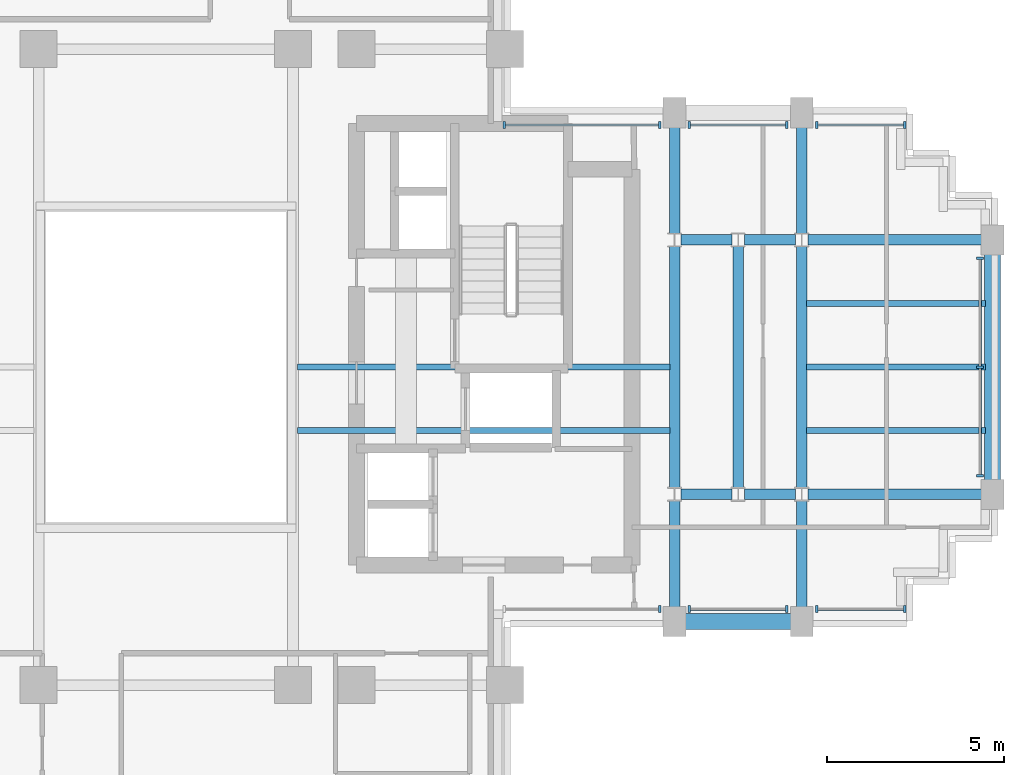
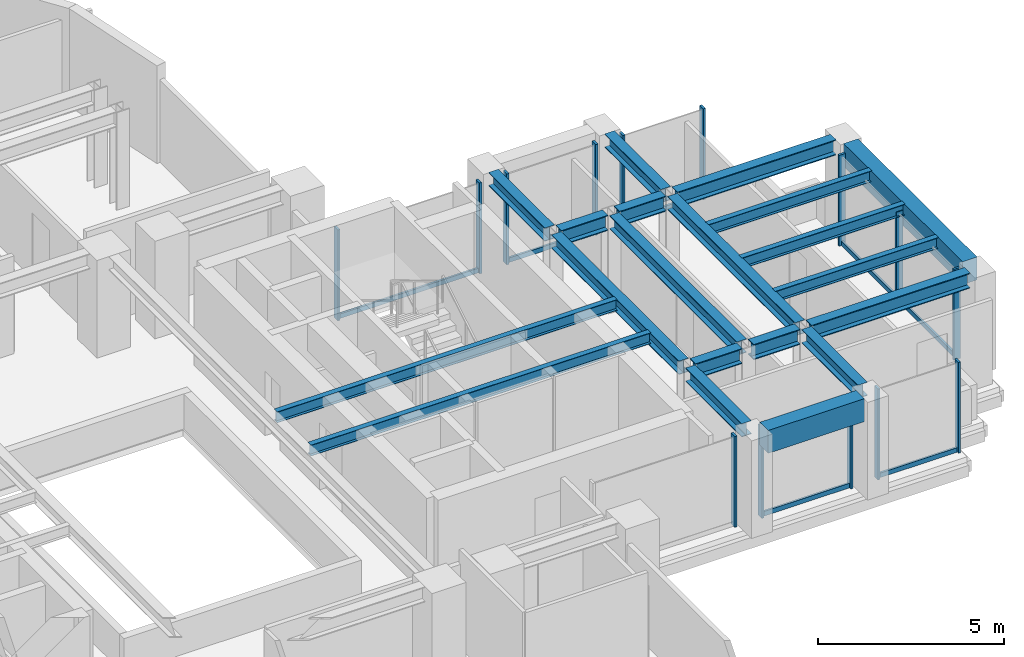
# One storey, part 5 of 13: 21 members, 20 beams, 7 elements without a shape of their own.
"""IFC4 building model written with IfcOpenShell, lengths in metres."""

from ifc_helpers import new_model, si_unit, direction, frame, origin, origin_2d, place, context, subcontext, project, spatial, rectangle, i_section, extrude, source, transform, mapped, material, material_profile, profile_set, type_object, element, aggregate, save


model = new_model("IFC4")

# Units and contexts
model_context = context("Model", 3, precision=1e-05, world=origin(), true_north=direction((0.0, 1.0)))
body_context = subcontext(model_context, "Body", "Model", "MODEL_VIEW")
ifc_project = project(units=[si_unit("LENGTHUNIT", "METRE"), si_unit("AREAUNIT", "SQUARE_METRE"), si_unit("VOLUMEUNIT", "CUBIC_METRE"), si_unit("PLANEANGLEUNIT", "RADIAN"), si_unit("MASSUNIT", "GRAM", prefix="KILO")], contexts=[model_context])

# Site, building, storey
site_placement = place(None, origin())
site = spatial("IfcSite", under=ifc_project, at=site_placement, CompositionType="ELEMENT")
building_placement = place(site_placement, origin())
building = spatial("IfcBuilding", under=site, at=building_placement, Name="Keilestroom Media Tower", CompositionType="ELEMENT")
storey_placement = place(building_placement, frame((0.0, 0.0, 131.199951171875)))
storey = spatial("IfcBuildingStorey", under=building, at=storey_placement, Name="L35", CompositionType="ELEMENT", Elevation=131.199951171875)

# Beams
ifc_material_1 = material(Name="Steel S355", Category="steel")
ifc_material_profile_1 = material_profile(ifc_material_1, i_section(OverallWidth=0.169921875, OverallDepth=0.360107421875, WebThickness=0.008056640625, FlangeThickness=0.0126953125, at=origin_2d()), Name="IPE 360")
ifc_profile_set_1 = profile_set([ifc_material_profile_1], Name="Steel S355")
beam_type_1 = type_object("IfcBeamType", Name="Secondary-Floor-Joist-IPE-360", PredefinedType="JOIST", material=ifc_profile_set_1)
shared_shape_1 = source(origin(), body_context, "Body", "SweptSolid", [
    extrude(i_section(OverallWidth=0.169921875, OverallDepth=0.360107421875, WebThickness=0.008056640625, FlangeThickness=0.0126953125, at=origin_2d()), origin(), (0.0, 0.0, 1.0), 10.5400390625),
])
for number, where, z_axis, x_axis, name in (
    (1, (3.72998046875, -1.800048828125, 3.02001953125), (1.0, 0.0, 0.0), (0.0, 1.0, 0.0), "L35 Beam BJ-5 JST-L35-074"),
    (2, (3.72998046875, 0.0, 3.02001953125), (1.0, 0.0, 0.0), (0.0, 1.0, 0.0), "L35 Beam BJ-5 JST-L35-079"),
):
    element("IfcBeam", number, at=place(storey_placement, frame(where, z_axis=z_axis, x_axis=x_axis)), inside=storey, type_object=beam_type_1, Name=name, PredefinedType="JOIST", context=body_context, shape_type="MappedRepresentation", body=[
        mapped(shared_shape_1, transform((0.0, 0.0, 0.0), x_axis=(1.0, 0.0, 0.0), y_axis=(0.0, 1.0, 0.0), z_axis=(0.0, 0.0, 1.0), scale=1.0)),
    ])
ifc_material_2 = material(Name="Precast concrete C40/50", Category="concrete")
ifc_material_profile_2 = material_profile(ifc_material_2, rectangle(XDim=0.449951171875, YDim=0.75, at=origin_2d()), Name="PC 450x750")
ifc_profile_set_2 = profile_set([ifc_material_profile_2], Name="Precast concrete C40/50")
beam_type_2 = type_object("IfcBeamType", Name="Perimeter-Spandrel-Beam-PC-450x750", PredefinedType="SPANDREL", material=ifc_profile_set_2)
shared_shape_2 = source(origin(), body_context, "Body", "SweptSolid", [
    extrude(rectangle(XDim=0.449951171875, YDim=0.75, at=origin_2d()), origin(), (0.0, 0.0, 1.0), 2.989990234375),
])
beam_1_placement = place(storey_placement, frame((14.705078125, -7.199951171875, 2.824951171875), z_axis=(1.0, 0.0, 0.0), x_axis=(0.0, 1.0, 0.0)))
element("IfcBeam", 3, at=beam_1_placement, inside=storey, type_object=beam_type_2, Name="L35 Beam SPB-1 BM-L35-EW-013", PredefinedType="SPANDREL", context=body_context, shape_type="MappedRepresentation", body=[
    mapped(shared_shape_2, transform((0.0, 0.0, 0.0), x_axis=(1.0, 0.0, 0.0), y_axis=(0.0, 1.0, 0.0), z_axis=(0.0, 0.0, 1.0), scale=1.0)),
])
ifc_material_profile_3 = material_profile(ifc_material_1, i_section(OverallWidth=0.300048828125, OverallDepth=0.5, WebThickness=0.012451171875, FlangeThickness=0.028076171875, at=origin_2d()), Name="HEB 500")
ifc_profile_set_3 = profile_set([ifc_material_profile_3], Name="Steel S355")
beam_type_3 = type_object("IfcBeamType", Name="Primary-Structural-Girder-HEB-500", PredefinedType="BEAM", material=ifc_profile_set_3)
shared_shape_3 = source(origin(), body_context, "Body", "SweptSolid", [
    extrude(i_section(OverallWidth=0.300048828125, OverallDepth=0.5, WebThickness=0.012451171875, FlangeThickness=0.028076171875, at=origin_2d()), origin(), (0.0, 0.0, 1.0), 4.91455078125),
])
for number, where, z_axis, x_axis, name in (
    (4, (18.180419921875, -3.60009765625, 2.949951171875), (1.0, 0.0, 0.0), (0.0, 1.0, 0.0), "L35 Beam BG-6 BM-L35-EW-019"),
    (5, (18.180419921875, 3.60009765625, 2.949951171875), (1.0, 0.0, 0.0), (0.0, 1.0, 0.0), "L35 Beam BG-6 BM-L35-EW-025"),
):
    element("IfcBeam", number, at=place(storey_placement, frame(where, z_axis=z_axis, x_axis=x_axis)), inside=storey, type_object=beam_type_3, Name=name, PredefinedType="BEAM", context=body_context, shape_type="MappedRepresentation", body=[
        mapped(shared_shape_3, transform((0.0, 0.0, 0.0), x_axis=(1.0, 0.0, 0.0), y_axis=(0.0, 1.0, 0.0), z_axis=(0.0, 0.0, 1.0), scale=1.0)),
    ])
shared_shape_4 = source(origin(), body_context, "Body", "SweptSolid", [
    extrude(i_section(OverallWidth=0.300048828125, OverallDepth=0.5, WebThickness=0.012451171875, FlangeThickness=0.028076171875, at=origin_2d()), origin(), (0.0, 0.0, 1.0), 1.43896484375),
])
for number, where, z_axis, x_axis, name in (
    (6, (14.58056640625, -3.60009765625, 2.949951171875), (1.0, 0.0, 0.0), (0.0, 1.0, 0.0), "L35 Beam BG-6 BM-L35-EW-017"),
    (7, (16.380615234375, -3.60009765625, 2.949951171875), (1.0, 0.0, 0.0), (0.0, 1.0, 0.0), "L35 Beam BG-6 BM-L35-EW-018"),
    (8, (14.58056640625, 3.60009765625, 2.949951171875), (1.0, 0.0, 0.0), (0.0, 1.0, 0.0), "L35 Beam BG-6 BM-L35-EW-023"),
    (9, (16.380615234375, 3.60009765625, 2.949951171875), (1.0, 0.0, 0.0), (0.0, 1.0, 0.0), "L35 Beam BG-6 BM-L35-EW-024"),
):
    element("IfcBeam", number, at=place(storey_placement, frame(where, z_axis=z_axis, x_axis=x_axis)), inside=storey, type_object=beam_type_3, Name=name, PredefinedType="BEAM", context=body_context, shape_type="MappedRepresentation", body=[
        mapped(shared_shape_4, transform((0.0, 0.0, 0.0), x_axis=(1.0, 0.0, 0.0), y_axis=(0.0, 1.0, 0.0), z_axis=(0.0, 0.0, 1.0), scale=1.0)),
    ])
shared_shape_5 = source(origin(), body_context, "Body", "SweptSolid", [
    extrude(rectangle(XDim=0.449951171875, YDim=0.75, at=origin_2d()), origin(), (0.0, 0.0, 1.0), 6.39013671875),
])
beam_2_placement = place(storey_placement, frame((23.39990234375, -3.195068359375, 2.824951171875), z_axis=(0.0, 1.0, 0.0), x_axis=(-1.0, 0.0, 0.0)))
element("IfcBeam", 10, at=beam_2_placement, inside=storey, type_object=beam_type_2, Name="L35 Beam SPB-1 BM-L35-NS-068", PredefinedType="SPANDREL", context=body_context, shape_type="MappedRepresentation", body=[
    mapped(shared_shape_5, transform((0.0, 0.0, 0.0), x_axis=(1.0, 0.0, 0.0), y_axis=(0.0, 1.0, 0.0), z_axis=(0.0, 0.0, 1.0), scale=1.0)),
])
shared_shape_6 = source(origin(), body_context, "Body", "SweptSolid", [
    extrude(i_section(OverallWidth=0.169921875, OverallDepth=0.360107421875, WebThickness=0.008056640625, FlangeThickness=0.0126953125, at=origin_2d()), origin(), (0.0, 0.0, 1.0), 5.065185546875),
])
for number, where, z_axis, x_axis, name in (
    (11, (18.1298828125, -1.800048828125, 3.02001953125), (1.0, 0.0, 0.0), (0.0, 1.0, 0.0), "L35 Beam BJ-5 JST-L35-075"),
    (12, (18.1298828125, 0.0, 3.02001953125), (1.0, 0.0, 0.0), (0.0, 1.0, 0.0), "L35 Beam BJ-5 JST-L35-080"),
    (13, (18.1298828125, 1.800048828125, 3.02001953125), (1.0, 0.0, 0.0), (0.0, 1.0, 0.0), "L35 Beam BJ-5 JST-L35-085"),
):
    element("IfcBeam", number, at=place(storey_placement, frame(where, z_axis=z_axis, x_axis=x_axis)), inside=storey, type_object=beam_type_1, Name=name, PredefinedType="JOIST", context=body_context, shape_type="MappedRepresentation", body=[
        mapped(shared_shape_6, transform((0.0, 0.0, 0.0), x_axis=(1.0, 0.0, 0.0), y_axis=(0.0, 1.0, 0.0), z_axis=(0.0, 0.0, 1.0), scale=1.0)),
    ])
ifc_material_profile_4 = material_profile(ifc_material_1, i_section(OverallWidth=0.300048828125, OverallDepth=0.43994140625, WebThickness=0.011474609375, FlangeThickness=0.02099609375, at=origin_2d()), Name="HEA 450")
ifc_profile_set_4 = profile_set([ifc_material_profile_4], Name="Steel S355")
beam_type_4 = type_object("IfcBeamType", Name="Primary-Structural-Girder-HEA-450", PredefinedType="BEAM", material=ifc_profile_set_4)
shared_shape_7 = source(origin(), body_context, "Body", "SweptSolid", [
    extrude(i_section(OverallWidth=0.300048828125, OverallDepth=0.43994140625, WebThickness=0.011474609375, FlangeThickness=0.02099609375, at=origin_2d()), origin(), (0.0, 0.0, 1.0), 3.015380859375),
])
for number, where, z_axis, x_axis, name in (
    (14, (14.39990234375, -6.794921875, 2.97998046875), (0.0, 1.0, 0.0), (-1.0, 0.0, 0.0), "L35 Beam BG-11 BM-L35-NS-061"),
    (15, (14.39990234375, 3.779541015625, 2.97998046875), (0.0, 1.0, 0.0), (-1.0, 0.0, 0.0), "L35 Beam BG-11 BM-L35-NS-063"),
    (16, (18.0, -6.794921875, 2.97998046875), (0.0, 1.0, 0.0), (-1.0, 0.0, 0.0), "L35 Beam BG-11 BM-L35-NS-065"),
    (17, (18.0, 3.779541015625, 2.97998046875), (0.0, 1.0, 0.0), (-1.0, 0.0, 0.0), "L35 Beam BG-11 BM-L35-NS-067"),
):
    element("IfcBeam", number, at=place(storey_placement, frame(where, z_axis=z_axis, x_axis=x_axis)), inside=storey, type_object=beam_type_4, Name=name, PredefinedType="BEAM", context=body_context, shape_type="MappedRepresentation", body=[
        mapped(shared_shape_7, transform((0.0, 0.0, 0.0), x_axis=(1.0, 0.0, 0.0), y_axis=(0.0, 1.0, 0.0), z_axis=(0.0, 0.0, 1.0), scale=1.0)),
    ])
shared_shape_8 = source(origin(), body_context, "Body", "SweptSolid", [
    extrude(i_section(OverallWidth=0.300048828125, OverallDepth=0.43994140625, WebThickness=0.011474609375, FlangeThickness=0.02099609375, at=origin_2d()), origin(), (0.0, 0.0, 1.0), 6.8408203125),
])
for number, where, z_axis, x_axis, name in (
    (18, (14.39990234375, -3.42041015625, 2.97998046875), (0.0, 1.0, 0.0), (-1.0, 0.0, 0.0), "L35 Beam BG-11 BM-L35-NS-062"),
    (19, (16.199951171875, -3.42041015625, 2.97998046875), (0.0, 1.0, 0.0), (-1.0, 0.0, 0.0), "L35 Beam BG-11 BM-L35-NS-064"),
    (20, (18.0, -3.42041015625, 2.97998046875), (0.0, 1.0, 0.0), (-1.0, 0.0, 0.0), "L35 Beam BG-11 BM-L35-NS-066"),
):
    element("IfcBeam", number, at=place(storey_placement, frame(where, z_axis=z_axis, x_axis=x_axis)), inside=storey, type_object=beam_type_4, Name=name, PredefinedType="BEAM", context=body_context, shape_type="MappedRepresentation", body=[
        mapped(shared_shape_8, transform((0.0, 0.0, 0.0), x_axis=(1.0, 0.0, 0.0), y_axis=(0.0, 1.0, 0.0), z_axis=(0.0, 0.0, 1.0), scale=1.0)),
    ])

# Curtain wall, members
ifc_material_3 = material(Name="Anodised Aluminium Alloy", Category="aluminium")
curtain_wall_type = type_object("IfcCurtainWallType", Name="Unitised-Curtain-Wall-CW-2", PredefinedType="NOTDEFINED", material=ifc_material_3)
curtain_wall_1_placement = place(storey_placement, origin())
curtain_wall_1 = element("IfcCurtainWall", 21, at=curtain_wall_1_placement, inside=storey, type_object=curtain_wall_type, Name="L35 Curtain Wall CW-2 CW-L35-E-1", PredefinedType="NOTDEFINED")
ifc_material_profile_5 = material_profile(ifc_material_3, rectangle(XDim=0.070068359375, YDim=0.199951171875, at=origin_2d()), Name="ALU MULLION 70x200")
ifc_profile_set_5 = profile_set([ifc_material_profile_5], Name="Anodised Aluminium Alloy")
member_type_1 = type_object("IfcMemberType", Name="Curtain-Wall-Mullion-CW-2", PredefinedType="MULLION", material=ifc_profile_set_5)
shared_shape_9 = source(origin(), body_context, "Body", "SweptSolid", [
    extrude(rectangle(XDim=0.070068359375, YDim=0.199951171875, at=origin_2d()), origin(), (0.0, 0.0, 1.0), 2.97998046875),
])
member_1_placement = place(storey_placement, frame((23.050048828125, -3.080078125, 0.0), z_axis=(0.0, 0.0, 1.0), x_axis=(0.0, 1.0, 0.0)))
member_1 = element("IfcMember", 22, at=member_1_placement, type_object=member_type_1, Name="CW-2 Mullion 00", PredefinedType="MULLION", context=body_context, shape_type="MappedRepresentation", body=[
    mapped(shared_shape_9, transform((0.0, 0.0, 0.0), x_axis=(1.0, 0.0, 0.0), y_axis=(0.0, 1.0, 0.0), z_axis=(0.0, 0.0, 1.0), scale=1.0)),
])
member_2_placement = place(storey_placement, frame((23.050048828125, 0.0, 0.0), z_axis=(0.0, 0.0, 1.0), x_axis=(0.0, 1.0, 0.0)))
member_2 = element("IfcMember", 23, at=member_2_placement, type_object=member_type_1, Name="CW-2 Mullion 01", PredefinedType="MULLION", context=body_context, shape_type="MappedRepresentation", body=[
    mapped(shared_shape_9, transform((0.0, 0.0, 0.0), x_axis=(1.0, 0.0, 0.0), y_axis=(0.0, 1.0, 0.0), z_axis=(0.0, 0.0, 1.0), scale=1.0)),
])
member_3_placement = place(storey_placement, frame((23.050048828125, 3.080078125, 0.0), z_axis=(0.0, 0.0, 1.0), x_axis=(0.0, 1.0, 0.0)))
member_3 = element("IfcMember", 24, at=member_3_placement, type_object=member_type_1, Name="CW-2 Mullion 02", PredefinedType="MULLION", context=body_context, shape_type="MappedRepresentation", body=[
    mapped(shared_shape_9, transform((0.0, 0.0, 0.0), x_axis=(1.0, 0.0, 0.0), y_axis=(0.0, 1.0, 0.0), z_axis=(0.0, 0.0, 1.0), scale=1.0)),
])

curtain_wall_2_placement = place(storey_placement, origin())
curtain_wall_2 = element("IfcCurtainWall", 25, at=curtain_wall_2_placement, inside=storey, type_object=curtain_wall_type, Name="L35 Curtain Wall CW-2 CW-L35-NE-1", PredefinedType="NOTDEFINED")
member_4_placement = place(storey_placement, frame((9.5849609375, 6.85009765625, 0.0), z_axis=(0.0, 0.0, 1.0), x_axis=(1.0, 0.0, 0.0)))
member_4 = element("IfcMember", 26, at=member_4_placement, type_object=member_type_1, Name="CW-2 Mullion 00", PredefinedType="MULLION", context=body_context, shape_type="MappedRepresentation", body=[
    mapped(shared_shape_9, transform((0.0, 0.0, 0.0), x_axis=(1.0, 0.0, 0.0), y_axis=(0.0, 1.0, 0.0), z_axis=(0.0, 0.0, 1.0), scale=1.0)),
])
member_5_placement = place(storey_placement, frame((13.97998046875, 6.85009765625, 0.0), z_axis=(0.0, 0.0, 1.0), x_axis=(1.0, 0.0, 0.0)))
member_5 = element("IfcMember", 27, at=member_5_placement, type_object=member_type_1, Name="CW-2 Mullion 01", PredefinedType="MULLION", context=body_context, shape_type="MappedRepresentation", body=[
    mapped(shared_shape_9, transform((0.0, 0.0, 0.0), x_axis=(1.0, 0.0, 0.0), y_axis=(0.0, 1.0, 0.0), z_axis=(0.0, 0.0, 1.0), scale=1.0)),
])

curtain_wall_3_placement = place(storey_placement, origin())
curtain_wall_3 = element("IfcCurtainWall", 28, at=curtain_wall_3_placement, inside=storey, type_object=curtain_wall_type, Name="L35 Curtain Wall CW-2 CW-L35-NE-2", PredefinedType="NOTDEFINED")
member_6_placement = place(storey_placement, frame((14.820068359375, 6.85009765625, 0.0), z_axis=(0.0, 0.0, 1.0), x_axis=(1.0, 0.0, 0.0)))
member_6 = element("IfcMember", 29, at=member_6_placement, type_object=member_type_1, Name="CW-2 Mullion 00", PredefinedType="MULLION", context=body_context, shape_type="MappedRepresentation", body=[
    mapped(shared_shape_9, transform((0.0, 0.0, 0.0), x_axis=(1.0, 0.0, 0.0), y_axis=(0.0, 1.0, 0.0), z_axis=(0.0, 0.0, 1.0), scale=1.0)),
])
member_7_placement = place(storey_placement, frame((17.580078125, 6.85009765625, 0.0), z_axis=(0.0, 0.0, 1.0), x_axis=(1.0, 0.0, 0.0)))
member_7 = element("IfcMember", 30, at=member_7_placement, type_object=member_type_1, Name="CW-2 Mullion 01", PredefinedType="MULLION", context=body_context, shape_type="MappedRepresentation", body=[
    mapped(shared_shape_9, transform((0.0, 0.0, 0.0), x_axis=(1.0, 0.0, 0.0), y_axis=(0.0, 1.0, 0.0), z_axis=(0.0, 0.0, 1.0), scale=1.0)),
])

curtain_wall_4_placement = place(storey_placement, origin())
curtain_wall_4 = element("IfcCurtainWall", 31, at=curtain_wall_4_placement, inside=storey, type_object=curtain_wall_type, Name="L35 Curtain Wall CW-2 CW-L35-NE-3", PredefinedType="NOTDEFINED")
member_8_placement = place(storey_placement, frame((18.419921875, 6.85009765625, 0.0), z_axis=(0.0, 0.0, 1.0), x_axis=(1.0, 0.0, 0.0)))
member_8 = element("IfcMember", 32, at=member_8_placement, type_object=member_type_1, Name="CW-2 Mullion 00", PredefinedType="MULLION", context=body_context, shape_type="MappedRepresentation", body=[
    mapped(shared_shape_9, transform((0.0, 0.0, 0.0), x_axis=(1.0, 0.0, 0.0), y_axis=(0.0, 1.0, 0.0), z_axis=(0.0, 0.0, 1.0), scale=1.0)),
])
member_9_placement = place(storey_placement, frame((20.9150390625, 6.85009765625, 0.0), z_axis=(0.0, 0.0, 1.0), x_axis=(1.0, 0.0, 0.0)))
member_9 = element("IfcMember", 33, at=member_9_placement, type_object=member_type_1, Name="CW-2 Mullion 01", PredefinedType="MULLION", context=body_context, shape_type="MappedRepresentation", body=[
    mapped(shared_shape_9, transform((0.0, 0.0, 0.0), x_axis=(1.0, 0.0, 0.0), y_axis=(0.0, 1.0, 0.0), z_axis=(0.0, 0.0, 1.0), scale=1.0)),
])

# Curtain wall, member
curtain_wall_5_placement = place(storey_placement, origin())
curtain_wall_5 = element("IfcCurtainWall", 34, at=curtain_wall_5_placement, inside=storey, type_object=curtain_wall_type, Name="L35 Curtain Wall CW-2 CW-L35-SE-1", PredefinedType="NOTDEFINED")
member_10_placement = place(storey_placement, frame((13.97998046875, -6.85009765625, 0.0), z_axis=(0.0, 0.0, 1.0), x_axis=(1.0, 0.0, 0.0)))
member_10 = element("IfcMember", 35, at=member_10_placement, type_object=member_type_1, Name="CW-2 Mullion 01", PredefinedType="MULLION", context=body_context, shape_type="MappedRepresentation", body=[
    mapped(shared_shape_9, transform((0.0, 0.0, 0.0), x_axis=(1.0, 0.0, 0.0), y_axis=(0.0, 1.0, 0.0), z_axis=(0.0, 0.0, 1.0), scale=1.0)),
])
aggregate(curtain_wall_5, [member_10])

# Curtain wall, members
curtain_wall_6_placement = place(storey_placement, origin())
curtain_wall_6 = element("IfcCurtainWall", 36, at=curtain_wall_6_placement, inside=storey, type_object=curtain_wall_type, Name="L35 Curtain Wall CW-2 CW-L35-SE-2", PredefinedType="NOTDEFINED")
member_11_placement = place(storey_placement, frame((14.820068359375, -6.85009765625, 0.0), z_axis=(0.0, 0.0, 1.0), x_axis=(1.0, 0.0, 0.0)))
member_11 = element("IfcMember", 37, at=member_11_placement, type_object=member_type_1, Name="CW-2 Mullion 00", PredefinedType="MULLION", context=body_context, shape_type="MappedRepresentation", body=[
    mapped(shared_shape_9, transform((0.0, 0.0, 0.0), x_axis=(1.0, 0.0, 0.0), y_axis=(0.0, 1.0, 0.0), z_axis=(0.0, 0.0, 1.0), scale=1.0)),
])
member_12_placement = place(storey_placement, frame((17.580078125, -6.85009765625, 0.0), z_axis=(0.0, 0.0, 1.0), x_axis=(1.0, 0.0, 0.0)))
member_12 = element("IfcMember", 38, at=member_12_placement, type_object=member_type_1, Name="CW-2 Mullion 01", PredefinedType="MULLION", context=body_context, shape_type="MappedRepresentation", body=[
    mapped(shared_shape_9, transform((0.0, 0.0, 0.0), x_axis=(1.0, 0.0, 0.0), y_axis=(0.0, 1.0, 0.0), z_axis=(0.0, 0.0, 1.0), scale=1.0)),
])

curtain_wall_7_placement = place(storey_placement, origin())
curtain_wall_7 = element("IfcCurtainWall", 39, at=curtain_wall_7_placement, inside=storey, type_object=curtain_wall_type, Name="L35 Curtain Wall CW-2 CW-L35-SE-3", PredefinedType="NOTDEFINED")
member_13_placement = place(storey_placement, frame((18.419921875, -6.85009765625, 0.0), z_axis=(0.0, 0.0, 1.0), x_axis=(1.0, 0.0, 0.0)))
member_13 = element("IfcMember", 40, at=member_13_placement, type_object=member_type_1, Name="CW-2 Mullion 00", PredefinedType="MULLION", context=body_context, shape_type="MappedRepresentation", body=[
    mapped(shared_shape_9, transform((0.0, 0.0, 0.0), x_axis=(1.0, 0.0, 0.0), y_axis=(0.0, 1.0, 0.0), z_axis=(0.0, 0.0, 1.0), scale=1.0)),
])
member_14_placement = place(storey_placement, frame((20.9150390625, -6.85009765625, 0.0), z_axis=(0.0, 0.0, 1.0), x_axis=(1.0, 0.0, 0.0)))
member_14 = element("IfcMember", 41, at=member_14_placement, type_object=member_type_1, Name="CW-2 Mullion 01", PredefinedType="MULLION", context=body_context, shape_type="MappedRepresentation", body=[
    mapped(shared_shape_9, transform((0.0, 0.0, 0.0), x_axis=(1.0, 0.0, 0.0), y_axis=(0.0, 1.0, 0.0), z_axis=(0.0, 0.0, 1.0), scale=1.0)),
])

# Member
ifc_material_profile_6 = material_profile(ifc_material_3, rectangle(XDim=0.06494140625, YDim=0.14990234375, at=origin_2d()), Name="ALU TRANSOM 65x150")
ifc_profile_set_6 = profile_set([ifc_material_profile_6], Name="Anodised Aluminium Alloy")
member_type_2 = type_object("IfcMemberType", Name="Curtain-Wall-Transom-CW-2", PredefinedType="USERDEFINED", material=ifc_profile_set_6)
shared_shape_10 = source(origin(), body_context, "Body", "SweptSolid", [
    extrude(rectangle(XDim=0.06494140625, YDim=0.14990234375, at=origin_2d()), origin(), (0.0, 0.0, 1.0), 2.42919921875),
])
member_15_placement = place(storey_placement, frame((18.452880859375, 6.85009765625, 0.074951171875), z_axis=(1.0, 0.0, 0.0), x_axis=(0.0, 1.0, 0.0)))
member_15 = element("IfcMember", 42, at=member_15_placement, type_object=member_type_2, Name="CW-2 Transom 00.1", ObjectType="TRANSOM", PredefinedType="USERDEFINED", context=body_context, shape_type="MappedRepresentation", body=[
    mapped(shared_shape_10, transform((0.0, 0.0, 0.0), x_axis=(1.0, 0.0, 0.0), y_axis=(0.0, 1.0, 0.0), z_axis=(0.0, 0.0, 1.0), scale=1.0)),
])

aggregate(curtain_wall_4, [member_8, member_9, member_15])

member_16_placement = place(storey_placement, frame((18.452880859375, -6.85009765625, 0.074951171875), z_axis=(1.0, 0.0, 0.0), x_axis=(0.0, 1.0, 0.0)))
member_16 = element("IfcMember", 43, at=member_16_placement, type_object=member_type_2, Name="CW-2 Transom 00.1", ObjectType="TRANSOM", PredefinedType="USERDEFINED", context=body_context, shape_type="MappedRepresentation", body=[
    mapped(shared_shape_10, transform((0.0, 0.0, 0.0), x_axis=(1.0, 0.0, 0.0), y_axis=(0.0, 1.0, 0.0), z_axis=(0.0, 0.0, 1.0), scale=1.0)),
])

aggregate(curtain_wall_7, [member_13, member_14, member_16])

shared_shape_11 = source(origin(), body_context, "Body", "SweptSolid", [
    extrude(rectangle(XDim=0.06494140625, YDim=0.14990234375, at=origin_2d()), origin(), (0.0, 0.0, 1.0), 2.694091796875),
])
member_17_placement = place(storey_placement, frame((14.85302734375, 6.85009765625, 0.074951171875), z_axis=(1.0, 0.0, 0.0), x_axis=(0.0, 1.0, 0.0)))
member_17 = element("IfcMember", 44, at=member_17_placement, type_object=member_type_2, Name="CW-2 Transom 00.1", ObjectType="TRANSOM", PredefinedType="USERDEFINED", context=body_context, shape_type="MappedRepresentation", body=[
    mapped(shared_shape_11, transform((0.0, 0.0, 0.0), x_axis=(1.0, 0.0, 0.0), y_axis=(0.0, 1.0, 0.0), z_axis=(0.0, 0.0, 1.0), scale=1.0)),
])

aggregate(curtain_wall_3, [member_6, member_7, member_17])

member_18_placement = place(storey_placement, frame((14.85302734375, -6.85009765625, 0.074951171875), z_axis=(1.0, 0.0, 0.0), x_axis=(0.0, 1.0, 0.0)))
member_18 = element("IfcMember", 45, at=member_18_placement, type_object=member_type_2, Name="CW-2 Transom 00.1", ObjectType="TRANSOM", PredefinedType="USERDEFINED", context=body_context, shape_type="MappedRepresentation", body=[
    mapped(shared_shape_11, transform((0.0, 0.0, 0.0), x_axis=(1.0, 0.0, 0.0), y_axis=(0.0, 1.0, 0.0), z_axis=(0.0, 0.0, 1.0), scale=1.0)),
])

aggregate(curtain_wall_6, [member_11, member_12, member_18])

shared_shape_12 = source(origin(), body_context, "Body", "SweptSolid", [
    extrude(rectangle(XDim=0.06494140625, YDim=0.14990234375, at=origin_2d()), origin(), (0.0, 0.0, 1.0), 4.3291015625),
])
member_19_placement = place(storey_placement, frame((9.617919921875, 6.85009765625, 0.074951171875), z_axis=(1.0, 0.0, 0.0), x_axis=(0.0, 1.0, 0.0)))
member_19 = element("IfcMember", 46, at=member_19_placement, type_object=member_type_2, Name="CW-2 Transom 00.1", ObjectType="TRANSOM", PredefinedType="USERDEFINED", context=body_context, shape_type="MappedRepresentation", body=[
    mapped(shared_shape_12, transform((0.0, 0.0, 0.0), x_axis=(1.0, 0.0, 0.0), y_axis=(0.0, 1.0, 0.0), z_axis=(0.0, 0.0, 1.0), scale=1.0)),
])

aggregate(curtain_wall_2, [member_4, member_5, member_19])

shared_shape_13 = source(origin(), body_context, "Body", "SweptSolid", [
    extrude(rectangle(XDim=0.06494140625, YDim=0.14990234375, at=origin_2d()), origin(), (0.0, 0.0, 1.0), 3.01416015625),
])
member_20_placement = place(storey_placement, frame((23.050048828125, -3.047119140625, 0.074951171875), z_axis=(0.0, 1.0, 0.0), x_axis=(-1.0, 0.0, 0.0)))
member_20 = element("IfcMember", 47, at=member_20_placement, type_object=member_type_2, Name="CW-2 Transom 00.1", ObjectType="TRANSOM", PredefinedType="USERDEFINED", context=body_context, shape_type="MappedRepresentation", body=[
    mapped(shared_shape_13, transform((0.0, 0.0, 0.0), x_axis=(1.0, 0.0, 0.0), y_axis=(0.0, 1.0, 0.0), z_axis=(0.0, 0.0, 1.0), scale=1.0)),
])

member_21_placement = place(storey_placement, frame((23.050048828125, 0.032958984375, 0.074951171875), z_axis=(0.0, 1.0, 0.0), x_axis=(-1.0, 0.0, 0.0)))
member_21 = element("IfcMember", 48, at=member_21_placement, type_object=member_type_2, Name="CW-2 Transom 01.1", ObjectType="TRANSOM", PredefinedType="USERDEFINED", context=body_context, shape_type="MappedRepresentation", body=[
    mapped(shared_shape_13, transform((0.0, 0.0, 0.0), x_axis=(1.0, 0.0, 0.0), y_axis=(0.0, 1.0, 0.0), z_axis=(0.0, 0.0, 1.0), scale=1.0)),
])

aggregate(curtain_wall_1, [member_1, member_2, member_3, member_20, member_21])

save(model, "model.ifc")
